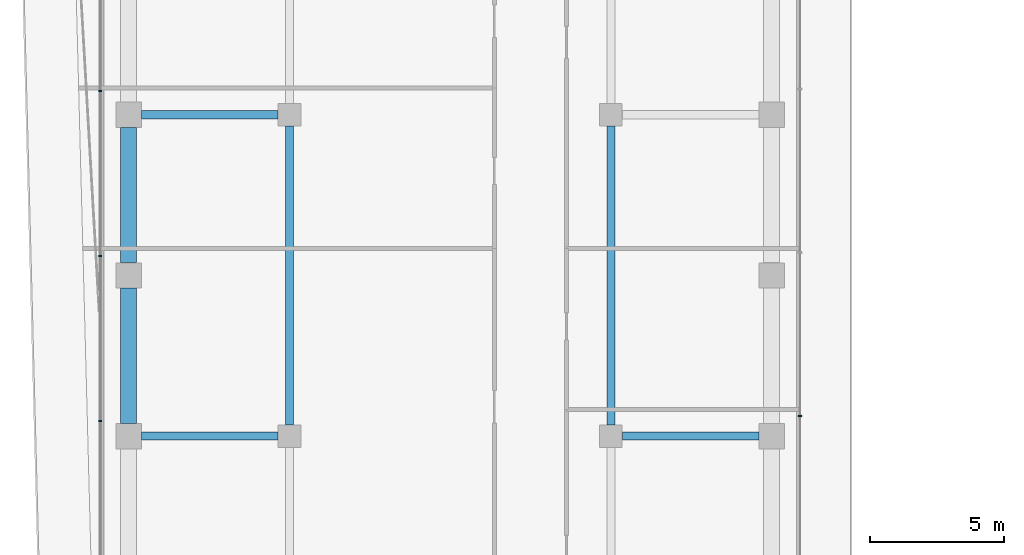
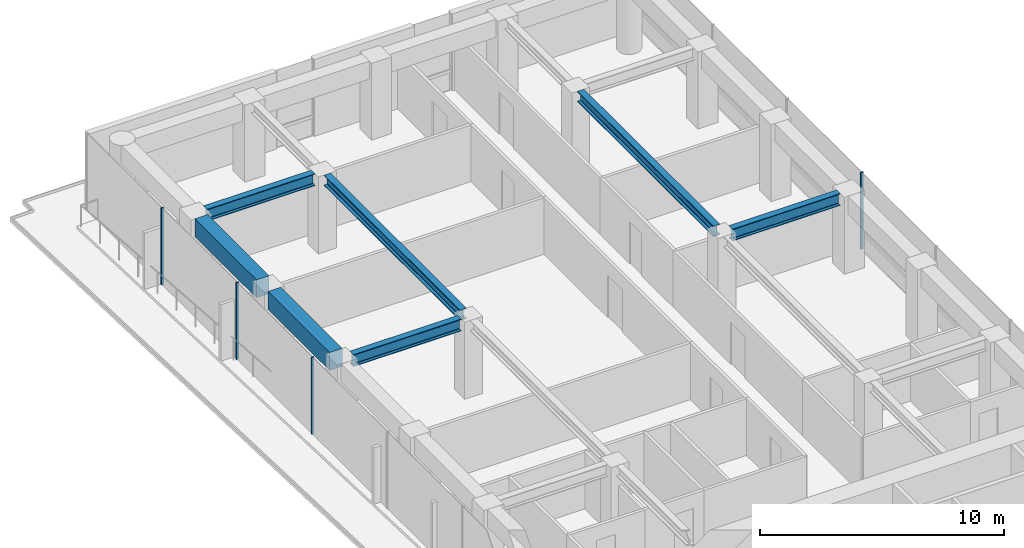
# One storey, part 17 of 29: 7 beams, 4 members, 2 elements without a shape of their own.
"""IFC4 building model written with IfcOpenShell, lengths in metres."""

from ifc_helpers import new_model, si_unit, direction, frame, origin, origin_2d, place, context, subcontext, project, spatial, rectangle, i_section, extrude, material, layer, layer_set, material_profile, profile_set, type_object, element, aggregate, save


model = new_model("IFC4")

# Units and contexts
model_context = context("Model", 3, precision=1e-05, world=origin(), true_north=direction((0.0, 1.0)))
body_context = subcontext(model_context, "Body", "Model", "MODEL_VIEW")
ifc_project = project(units=[si_unit("LENGTHUNIT", "METRE"), si_unit("AREAUNIT", "SQUARE_METRE"), si_unit("VOLUMEUNIT", "CUBIC_METRE"), si_unit("PLANEANGLEUNIT", "RADIAN"), si_unit("MASSUNIT", "GRAM", prefix="KILO")], contexts=[model_context])

# Site, building, storey
site_placement = place(None, origin())
site = spatial("IfcSite", under=ifc_project, at=site_placement, CompositionType="ELEMENT")
building_placement = place(site_placement, origin())
building = spatial("IfcBuilding", under=site, at=building_placement, Name="Welwitschia Terrace Campus", CompositionType="ELEMENT")
storey_placement = place(building_placement, frame((0.0, 0.0, 58.39990234375)))
storey = spatial("IfcBuildingStorey", under=building, at=storey_placement, Name="L13", CompositionType="ELEMENT", Elevation=58.39990234375)

# Beams
ifc_material_1 = material(Name="Steel S355", Category="steel")
ifc_material_profile_1 = material_profile(ifc_material_1, i_section(OverallWidth=0.305908203125, OverallDepth=0.52392578125, WebThickness=0.02099609375, FlangeThickness=0.0400390625, FilletRadius=0.027099609375, at=origin_2d()))
ifc_profile_set_1 = profile_set([ifc_material_profile_1], Name="Steel S355")
beam_type_1 = type_object("IfcBeamType", Name="Interior girder HE 500 M", PredefinedType="BEAM", material=ifc_profile_set_1)
for number, where, z_axis, x_axis, name in (
    (1, (6.0, 44.425537109375, 3.588134765625), (0.0, 1.0, 0.0), (-1.0, 0.0, 0.0), "Girder GB2"),
    (2, (18.0, 44.425537109375, 3.588134765625), (0.0, 1.0, 0.0), (-1.0, 0.0, 0.0), "Girder GB2"),
):
    element("IfcBeam", number, at=place(storey_placement, frame(where, z_axis=z_axis, x_axis=x_axis)), inside=storey, type_object=beam_type_1, Name=name, PredefinedType="BEAM", context=body_context, shape_type="SweptSolid", body=[
        extrude(i_section(OverallWidth=0.305908203125, OverallDepth=0.52392578125, WebThickness=0.02099609375, FlangeThickness=0.0400390625, FilletRadius=0.027099609375, at=origin_2d()), origin(), (0.0, 0.0, 1.0), 11.14892578125),
    ])

# Curtain wall, member
ifc_material_2 = material(Name="Bronze anodised aluminium", Category="aluminium")
ifc_layer = layer(ifc_material_2, 0.1201171875)
ifc_layer_set = layer_set([ifc_layer], Name="Bronze anodised aluminium")
curtain_wall_type = type_object("IfcCurtainWallType", Name="Curtain wall CW2 tower 6000", PredefinedType="NOTDEFINED", material=ifc_layer_set)
curtain_wall_1_placement = place(storey_placement, origin())
curtain_wall_1 = element("IfcCurtainWall", 3, at=curtain_wall_1_placement, inside=storey, type_object=curtain_wall_type, Name="CW L13.10.0", PredefinedType="NOTDEFINED")
ifc_material_3 = material(Name="Bronze anodised aluminium", Category="aluminium")
ifc_material_profile_2 = material_profile(ifc_material_3, rectangle(XDim=0.1201171875, YDim=0.06005859375, at=origin_2d()))
ifc_profile_set_2 = profile_set([ifc_material_profile_2], Name="Bronze anodised aluminium")
member_type = type_object("IfcMemberType", Name="Mullion 60x120", PredefinedType="MULLION", material=ifc_profile_set_2)
member_1_placement = place(storey_placement, frame((25.05810546875, 44.748046875, 0.0), z_axis=(0.0, 0.0, 1.0), x_axis=(-1.0, 0.0, 0.0)))
member_1 = element("IfcMember", 4, at=member_1_placement, type_object=member_type, Name="Mullion L13.10.0.3", PredefinedType="MULLION", context=body_context, shape_type="SweptSolid", body=[
    extrude(rectangle(XDim=0.1201171875, YDim=0.06005859375, at=origin_2d()), origin(), (0.0, 0.0, 1.0), 3.85009765625),
])
aggregate(curtain_wall_1, [member_1])

# Curtain wall, members
curtain_wall_2_placement = place(storey_placement, origin())
curtain_wall_2 = element("IfcCurtainWall", 5, at=curtain_wall_2_placement, inside=storey, type_object=curtain_wall_type, Name="CW L13.12.0", PredefinedType="NOTDEFINED")
member_2_placement = place(storey_placement, frame((-1.05810546875, 56.892333984375, 0.0), z_axis=(0.0, 0.0, 1.0), x_axis=(1.0, 0.0, 0.0)))
member_2 = element("IfcMember", 6, at=member_2_placement, type_object=member_type, Name="Mullion L13.12.0.1", PredefinedType="MULLION", context=body_context, shape_type="SweptSolid", body=[
    extrude(rectangle(XDim=0.1201171875, YDim=0.06005859375, at=origin_2d()), origin(), (0.0, 0.0, 1.0), 3.85009765625),
])
member_3_placement = place(storey_placement, frame((-1.05810546875, 50.726806640625, 0.0), z_axis=(0.0, 0.0, 1.0), x_axis=(1.0, 0.0, 0.0)))
member_3 = element("IfcMember", 7, at=member_3_placement, type_object=member_type, Name="Mullion L13.12.0.2", PredefinedType="MULLION", context=body_context, shape_type="SweptSolid", body=[
    extrude(rectangle(XDim=0.1201171875, YDim=0.06005859375, at=origin_2d()), origin(), (0.0, 0.0, 1.0), 3.85009765625),
])
member_4_placement = place(storey_placement, frame((-1.05810546875, 44.56103515625, 0.0), z_axis=(0.0, 0.0, 1.0), x_axis=(1.0, 0.0, 0.0)))
member_4 = element("IfcMember", 8, at=member_4_placement, type_object=member_type, Name="Mullion L13.12.0.3", PredefinedType="MULLION", context=body_context, shape_type="SweptSolid", body=[
    extrude(rectangle(XDim=0.1201171875, YDim=0.06005859375, at=origin_2d()), origin(), (0.0, 0.0, 1.0), 3.85009765625),
])
aggregate(curtain_wall_2, [member_2, member_3, member_4])

# Beams
ifc_material_4 = material(Name="Steel S355", Category="steel")
ifc_material_profile_3 = material_profile(ifc_material_4, i_section(OverallWidth=0.300048828125, OverallDepth=0.60009765625, WebThickness=0.015380859375, FlangeThickness=0.030029296875, FilletRadius=0.027099609375, at=origin_2d()))
ifc_profile_set_3 = profile_set([ifc_material_profile_3], Name="Steel S355")
beam_type_2 = type_object("IfcBeamType", Name="Primary beam HE 600 B", PredefinedType="BEAM", material=ifc_profile_set_3)
for number, where, z_axis, x_axis, name in (
    (9, (23.5244140625, 44.0, 3.550048828125), (-1.0, 0.0, 0.0), (0.0, -1.0, 0.0), "Primary beam PB2"),
    (10, (0.4755859375, 56.0, 3.550048828125), (1.0, 0.0, 0.0), (0.0, 1.0, 0.0), "Primary beam PB2"),
    (11, (0.4755859375, 44.0, 3.550048828125), (1.0, 0.0, 0.0), (0.0, 1.0, 0.0), "Primary beam PB2"),
):
    element("IfcBeam", number, at=place(storey_placement, frame(where, z_axis=z_axis, x_axis=x_axis)), inside=storey, type_object=beam_type_2, Name=name, PredefinedType="BEAM", context=body_context, shape_type="SweptSolid", body=[
        extrude(i_section(OverallWidth=0.300048828125, OverallDepth=0.60009765625, WebThickness=0.015380859375, FlangeThickness=0.030029296875, FilletRadius=0.027099609375, at=origin_2d()), origin(), (0.0, 0.0, 1.0), 5.098876953125),
    ])
ifc_material_5 = material(Name="Concrete C60/75", Category="concrete")
ifc_material_profile_4 = material_profile(ifc_material_5, rectangle(XDim=0.60009765625, YDim=0.89990234375, at=origin_2d()))
ifc_profile_set_4 = profile_set([ifc_material_profile_4], Name="Concrete C60/75")
beam_type_3 = type_object("IfcBeamType", Name="Ring spandrel 600x900", PredefinedType="SPANDREL", material=ifc_profile_set_4)
for number, where, z_axis, x_axis, name in (
    (12, (0.0, 55.5244140625, 3.400146484375), (0.0, -1.0, 0.0), (1.0, 0.0, 0.0), "Spandrel SP2"),
    (13, (0.0, 49.5244140625, 3.400146484375), (0.0, -1.0, 0.0), (1.0, 0.0, 0.0), "Spandrel SP2"),
):
    element("IfcBeam", number, at=place(storey_placement, frame(where, z_axis=z_axis, x_axis=x_axis)), inside=storey, type_object=beam_type_3, Name=name, PredefinedType="SPANDREL", context=body_context, shape_type="SweptSolid", body=[
        extrude(rectangle(XDim=0.60009765625, YDim=0.89990234375, at=origin_2d()), origin(), (0.0, 0.0, 1.0), 5.048828125),
    ])

save(model, "model.ifc")
